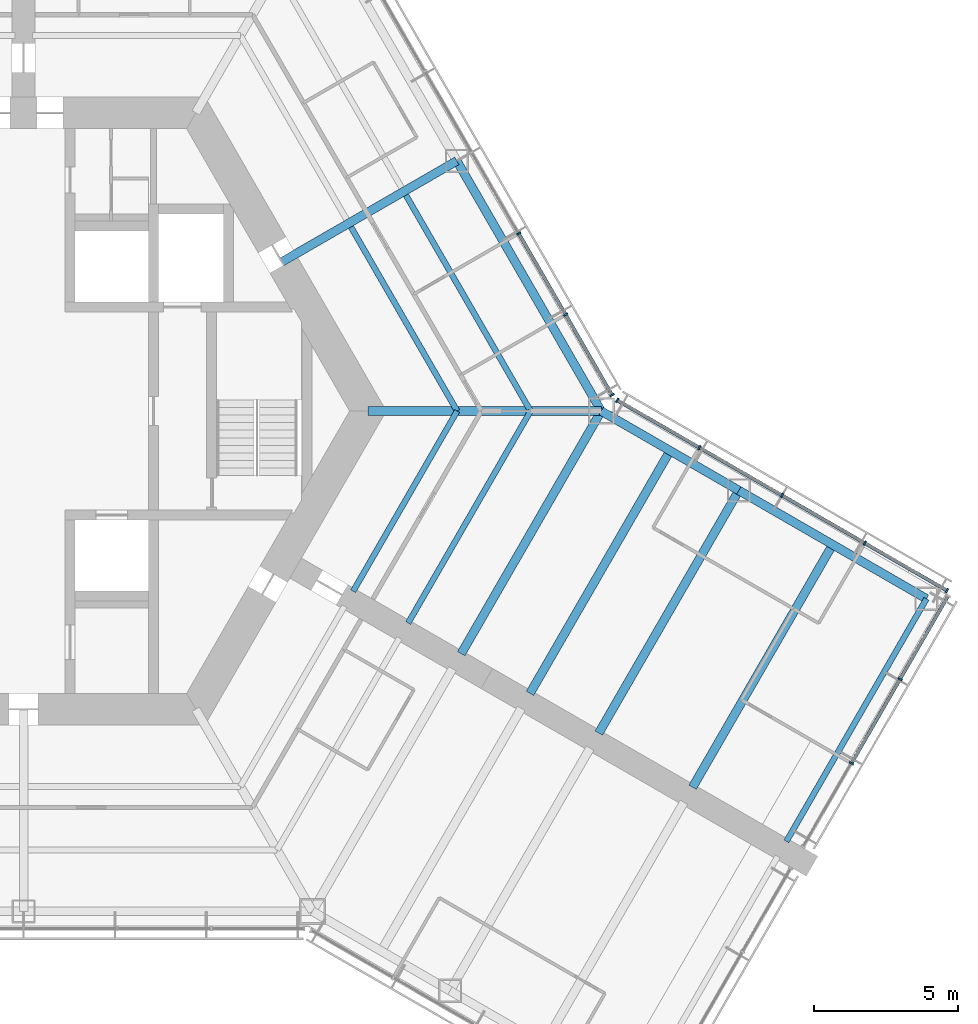
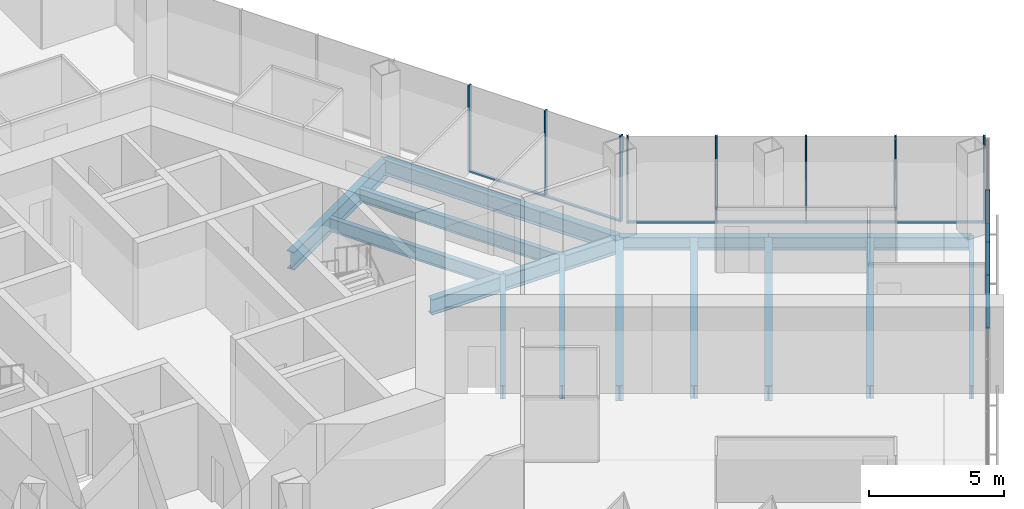
# One storey, part 6 of 19: 18 members, 14 beams, 3 elements without a shape of their own.
"""IFC4 building model written with IfcOpenShell, lengths in metres."""

from ifc_helpers import new_model, si_unit, direction, frame, origin, origin_2d, place, context, subcontext, project, spatial, rectangle, i_section, extrude, material, material_profile, profile_set, type_object, element, aggregate, save


model = new_model("IFC4")

# Units and contexts
model_context = context("Model", 3, precision=1e-05, world=origin(), true_north=direction((0.0, 1.0)))
body_context = subcontext(model_context, "Body", "Model", "MODEL_VIEW")
ifc_project = project(units=[si_unit("LENGTHUNIT", "METRE"), si_unit("AREAUNIT", "SQUARE_METRE"), si_unit("VOLUMEUNIT", "CUBIC_METRE"), si_unit("PLANEANGLEUNIT", "RADIAN"), si_unit("MASSUNIT", "GRAM", prefix="KILO")], contexts=[model_context])

# Site, building, storey
site_placement = place(None, origin())
site = spatial("IfcSite", under=ifc_project, at=site_placement, CompositionType="ELEMENT")
building_placement = place(site_placement, origin())
building = spatial("IfcBuilding", under=site, at=building_placement, Name="Kasaneha Research Tower", CompositionType="ELEMENT")
storey_placement = place(building_placement, frame((0.0, 0.0, 100.199951171875)))
storey = spatial("IfcBuildingStorey", under=building, at=storey_placement, Name="L25", CompositionType="ELEMENT", Elevation=100.199951171875)

# Beams
ifc_material_1 = material(Name="Steel SN490B", Category="steel")
ifc_material_profile_1 = material_profile(ifc_material_1, i_section(OverallWidth=0.199951171875, OverallDepth=0.60009765625, WebThickness=0.010986328125, FlangeThickness=0.01708984375, FilletRadius=0.012939453125, at=origin_2d()), Name="H-600x200x11x17")
ifc_profile_set_1 = profile_set([ifc_material_profile_1], Name="Steel SN490B")
beam_type_1 = type_object("IfcBeamType", Name="B1-3 secondary beam H-600x200x11x17", PredefinedType="JOIST", material=ifc_profile_set_1)
beam_1_placement = place(storey_placement, frame((15.010986328125, 0.0, -0.449951171875), z_axis=(-0.499994443168, 0.866028611999, 0.0), x_axis=(-0.866028611999, -0.499994443168, 0.0)))
element("IfcBeam", 1, at=beam_1_placement, inside=storey, type_object=beam_type_1, Name="Secondary beam RS030L1 L25", PredefinedType="JOIST", context=body_context, shape_type="SweptSolid", body=[
    extrude(i_section(OverallWidth=0.199951171875, OverallDepth=0.60009765625, WebThickness=0.010986328125, FlangeThickness=0.01708984375, FilletRadius=0.012939453125, at=origin_2d()), origin(), (0.0, 0.0, 1.0), 7.35546875),
])
beam_2_placement = place(storey_placement, frame((17.551513671875, 0.0, -0.449951171875), z_axis=(-0.5000050195, 0.866022505755, 0.0), x_axis=(-0.866022505755, -0.5000050195, 0.0)))
element("IfcBeam", 2, at=beam_2_placement, inside=storey, type_object=beam_type_1, Name="Secondary beam RS030L2 L25", PredefinedType="JOIST", context=body_context, shape_type="SweptSolid", body=[
    extrude(i_section(OverallWidth=0.199951171875, OverallDepth=0.60009765625, WebThickness=0.010986328125, FlangeThickness=0.01708984375, FilletRadius=0.012939453125, at=origin_2d()), origin(), (0.0, 0.0, 1.0), 8.6259765625),
])
beam_3_placement = place(storey_placement, frame((15.010986328125, 0.0, -0.449951171875), z_axis=(-0.499972735707, -0.866041144259, 0.0), x_axis=(0.866041144259, -0.499972735707, 0.0)))
element("IfcBeam", 3, at=beam_3_placement, inside=storey, type_object=beam_type_1, Name="Secondary beam RS330R1 L25", PredefinedType="JOIST", context=body_context, shape_type="SweptSolid", body=[
    extrude(i_section(OverallWidth=0.199951171875, OverallDepth=0.60009765625, WebThickness=0.010986328125, FlangeThickness=0.01708984375, FilletRadius=0.012939453125, at=origin_2d()), origin(), (0.0, 0.0, 1.0), 7.20556640625),
])
beam_4_placement = place(storey_placement, frame((17.551513671875, 0.0, -0.449951171875), z_axis=(-0.500020829043, -0.866013377797, 0.0), x_axis=(0.866013377797, -0.500020829043, 0.0)))
element("IfcBeam", 4, at=beam_4_placement, inside=storey, type_object=beam_type_1, Name="Secondary beam RS330R2 L25", PredefinedType="JOIST", context=body_context, shape_type="SweptSolid", body=[
    extrude(i_section(OverallWidth=0.199951171875, OverallDepth=0.60009765625, WebThickness=0.010986328125, FlangeThickness=0.01708984375, FilletRadius=0.012939453125, at=origin_2d()), origin(), (0.0, 0.0, 1.0), 8.475830078125),
])
ifc_material_2 = material(Name="Steel SN490B", Category="steel")
ifc_material_profile_2 = material_profile(ifc_material_2, i_section(OverallWidth=0.300048828125, OverallDepth=0.58203125, WebThickness=0.011962890625, FlangeThickness=0.01708984375, FilletRadius=0.012939453125, at=origin_2d()), Name="H-582x300x12x17")
ifc_profile_set_2 = profile_set([ifc_material_profile_2], Name="Steel SN490B")
beam_type_2 = type_object("IfcBeamType", Name="B2-3 secondary beam H-582x300x12x17", PredefinedType="JOIST", material=ifc_profile_set_2)
for number, where, z_axis, x_axis, name in (
    (5, (22.381591796875, -1.375, -0.44091796875), (-0.500010041276, -0.866019606374, 0.0), (0.866019606374, -0.500010041276, 0.0), "Secondary beam WBCN1 L25"),
    (6, (28.0107421875, -4.625, -0.44091796875), (-0.500010041276, -0.866019606374, 0.0), (0.866019606374, -0.500010041276, 0.0), "Secondary beam WBCN2 L25"),
):
    element("IfcBeam", number, at=place(storey_placement, frame(where, z_axis=z_axis, x_axis=x_axis)), inside=storey, type_object=beam_type_2, Name=name, PredefinedType="JOIST", context=body_context, shape_type="SweptSolid", body=[
        extrude(i_section(OverallWidth=0.300048828125, OverallDepth=0.58203125, WebThickness=0.011962890625, FlangeThickness=0.01708984375, FilletRadius=0.012939453125, at=origin_2d()), origin(), (0.0, 0.0, 1.0), 9.699951171875),
    ])

# Curtain wall, members
ifc_material_3 = material(Name="Glass and aluminium", Category="aluminium")
curtain_wall_type = type_object("IfcCurtainWallType", Name="Low-rise office curtain wall", PredefinedType="USERDEFINED", material=ifc_material_3)
curtain_wall_1_placement = place(storey_placement, origin())
curtain_wall_1 = element("IfcCurtainWall", 7, at=curtain_wall_1_placement, inside=storey, type_object=curtain_wall_type, Name="CW-O1 L25 run 05a", ObjectType="UNITISED CURTAIN WALL", PredefinedType="USERDEFINED")
ifc_material_4 = material(Name="Aluminium 6063-T6", Category="aluminium")
ifc_material_profile_3 = material_profile(ifc_material_4, rectangle(XDim=0.06005859375, YDim=0.159912109375, at=origin_2d()), Name="CW-O1 mullion 60x160")
ifc_profile_set_3 = profile_set([ifc_material_profile_3], Name="Aluminium 6063-T6")
member_type_1 = type_object("IfcMemberType", Name="CW-O1 mullion", PredefinedType="MULLION", material=ifc_profile_set_3)
member_1_placement = place(storey_placement, frame((28.661376953125, -12.1982421875, 0.0), z_axis=(0.0, 0.0, 1.0), x_axis=(0.500000011442, 0.866025397178, 0.0)))
member_1 = element("IfcMember", 8, at=member_1_placement, type_object=member_type_1, Name="CW-O1 mullion 2", PredefinedType="MULLION", context=body_context, shape_type="SweptSolid", body=[
    extrude(rectangle(XDim=0.06005859375, YDim=0.159912109375, at=origin_2d()), origin(), (0.0, 0.0, 1.0), 3.900146484375),
])
member_2_placement = place(storey_placement, frame((30.3447265625, -9.28271484375, 0.0), z_axis=(0.0, 0.0, 1.0), x_axis=(0.500000011442, 0.866025397178, 0.0)))
member_2 = element("IfcMember", 9, at=member_2_placement, type_object=member_type_1, Name="CW-O1 mullion 3", PredefinedType="MULLION", context=body_context, shape_type="SweptSolid", body=[
    extrude(rectangle(XDim=0.06005859375, YDim=0.159912109375, at=origin_2d()), origin(), (0.0, 0.0, 1.0), 3.900146484375),
])

curtain_wall_2_placement = place(storey_placement, origin())
curtain_wall_2 = element("IfcCurtainWall", 10, at=curtain_wall_2_placement, inside=storey, type_object=curtain_wall_type, Name="CW-O1 L25 run 06a", ObjectType="UNITISED CURTAIN WALL", PredefinedType="USERDEFINED")
member_3_placement = place(storey_placement, frame((31.96533203125, -6.21533203125, 0.0), z_axis=(0.0, 0.0, 1.0), x_axis=(-0.866025411464, 0.499999986699, 0.0)))
member_3 = element("IfcMember", 11, at=member_3_placement, type_object=member_type_1, Name="CW-O1 mullion 1", PredefinedType="MULLION", context=body_context, shape_type="SweptSolid", body=[
    extrude(rectangle(XDim=0.06005859375, YDim=0.159912109375, at=origin_2d()), origin(), (0.0, 0.0, 1.0), 3.900146484375),
])
member_4_placement = place(storey_placement, frame((29.125, -4.575439453125, 0.0), z_axis=(0.0, 0.0, 1.0), x_axis=(-0.866025411464, 0.499999986699, 0.0)))
member_4 = element("IfcMember", 12, at=member_4_placement, type_object=member_type_1, Name="CW-O1 mullion 2", PredefinedType="MULLION", context=body_context, shape_type="SweptSolid", body=[
    extrude(rectangle(XDim=0.06005859375, YDim=0.159912109375, at=origin_2d()), origin(), (0.0, 0.0, 1.0), 3.900146484375),
])
member_5_placement = place(storey_placement, frame((26.258544921875, -2.920654296875, 0.0), z_axis=(0.0, 0.0, 1.0), x_axis=(-0.866025411464, 0.499999986699, 0.0)))
member_5 = element("IfcMember", 13, at=member_5_placement, type_object=member_type_1, Name="CW-O1 mullion 3", PredefinedType="MULLION", context=body_context, shape_type="SweptSolid", body=[
    extrude(rectangle(XDim=0.06005859375, YDim=0.159912109375, at=origin_2d()), origin(), (0.0, 0.0, 1.0), 3.900146484375),
])
member_6_placement = place(storey_placement, frame((23.39208984375, -1.265625, 0.0), z_axis=(0.0, 0.0, 1.0), x_axis=(-0.866025411464, 0.499999986699, 0.0)))
member_6 = element("IfcMember", 14, at=member_6_placement, type_object=member_type_1, Name="CW-O1 mullion 4", PredefinedType="MULLION", context=body_context, shape_type="SweptSolid", body=[
    extrude(rectangle(XDim=0.06005859375, YDim=0.159912109375, at=origin_2d()), origin(), (0.0, 0.0, 1.0), 3.900146484375),
])
member_7_placement = place(storey_placement, frame((20.5517578125, 0.374267578125, 0.0), z_axis=(0.0, 0.0, 1.0), x_axis=(-0.866025411464, 0.499999986699, 0.0)))
member_7 = element("IfcMember", 15, at=member_7_placement, type_object=member_type_1, Name="CW-O1 mullion 5", PredefinedType="MULLION", context=body_context, shape_type="SweptSolid", body=[
    extrude(rectangle(XDim=0.06005859375, YDim=0.159912109375, at=origin_2d()), origin(), (0.0, 0.0, 1.0), 3.900146484375),
])

curtain_wall_3_placement = place(storey_placement, origin())
curtain_wall_3 = element("IfcCurtainWall", 16, at=curtain_wall_3_placement, inside=storey, type_object=curtain_wall_type, Name="CW-O1 L25 run 07a", ObjectType="UNITISED CURTAIN WALL", PredefinedType="USERDEFINED")
member_8_placement = place(storey_placement, frame((20.374267578125, 0.5517578125, 0.0), z_axis=(0.0, 0.0, 1.0), x_axis=(-0.49999996188, 0.866025425793, 0.0)))
member_8 = element("IfcMember", 17, at=member_8_placement, type_object=member_type_1, Name="CW-O1 mullion 1", PredefinedType="MULLION", context=body_context, shape_type="SweptSolid", body=[
    extrude(rectangle(XDim=0.06005859375, YDim=0.159912109375, at=origin_2d()), origin(), (0.0, 0.0, 1.0), 3.900146484375),
])
member_9_placement = place(storey_placement, frame((18.76611328125, 3.33740234375, 0.0), z_axis=(0.0, 0.0, 1.0), x_axis=(-0.49999996188, 0.866025425793, 0.0)))
member_9 = element("IfcMember", 18, at=member_9_placement, type_object=member_type_1, Name="CW-O1 mullion 2", PredefinedType="MULLION", context=body_context, shape_type="SweptSolid", body=[
    extrude(rectangle(XDim=0.06005859375, YDim=0.159912109375, at=origin_2d()), origin(), (0.0, 0.0, 1.0), 3.900146484375),
])
member_10_placement = place(storey_placement, frame((17.142822265625, 6.148681640625, 0.0), z_axis=(0.0, 0.0, 1.0), x_axis=(-0.49999996188, 0.866025425793, 0.0)))
member_10 = element("IfcMember", 19, at=member_10_placement, type_object=member_type_1, Name="CW-O1 mullion 3", PredefinedType="MULLION", context=body_context, shape_type="SweptSolid", body=[
    extrude(rectangle(XDim=0.06005859375, YDim=0.159912109375, at=origin_2d()), origin(), (0.0, 0.0, 1.0), 3.900146484375),
])

# Member
ifc_material_5 = material(Name="Aluminium 6063-T6", Category="aluminium")
ifc_material_profile_4 = material_profile(ifc_material_5, rectangle(XDim=0.1201171875, YDim=0.06005859375, at=origin_2d()), Name="CW-O1 transom 120x60")
ifc_profile_set_4 = profile_set([ifc_material_profile_4], Name="Aluminium 6063-T6")
member_type_2 = type_object("IfcMemberType", Name="CW-O1 transom", PredefinedType="USERDEFINED", material=ifc_profile_set_4)
member_11_placement = place(storey_placement, frame((28.67626953125, -12.17236328125, 0.030029296875), z_axis=(0.499982354831, 0.866035590988, 0.0), x_axis=(-0.866035590988, 0.499982354831, 0.0)))
member_11 = element("IfcMember", 20, at=member_11_placement, type_object=member_type_2, Name="CW-O1 transom 2", ObjectType="TRANSOM", PredefinedType="USERDEFINED", context=body_context, shape_type="SweptSolid", body=[
    extrude(rectangle(XDim=0.1201171875, YDim=0.06005859375, at=origin_2d()), origin(), (0.0, 0.0, 1.0), 3.306640625),
])

member_12_placement = place(storey_placement, frame((30.359619140625, -9.256591796875, 0.030029296875), z_axis=(0.500025583411, 0.866010632691, 0.0), x_axis=(-0.866010632691, 0.500025583411, 0.0)))
member_12 = element("IfcMember", 21, at=member_12_placement, type_object=member_type_2, Name="CW-O1 transom 3", ObjectType="TRANSOM", PredefinedType="USERDEFINED", context=body_context, shape_type="SweptSolid", body=[
    extrude(rectangle(XDim=0.1201171875, YDim=0.06005859375, at=origin_2d()), origin(), (0.0, 0.0, 1.0), 3.276611328125),
])

aggregate(curtain_wall_1, [member_1, member_2, member_11, member_12])

member_13_placement = place(storey_placement, frame((31.939453125, -6.200439453125, 0.030029296875), z_axis=(-0.866041647767, 0.499971863542, 0.0), x_axis=(-0.499971863542, -0.866041647767, 0.0)))
member_13 = element("IfcMember", 22, at=member_13_placement, type_object=member_type_2, Name="CW-O1 transom 1", ObjectType="TRANSOM", PredefinedType="USERDEFINED", context=body_context, shape_type="SweptSolid", body=[
    extrude(rectangle(XDim=0.1201171875, YDim=0.06005859375, at=origin_2d()), origin(), (0.0, 0.0, 1.0), 3.219970703125),
])

member_14_placement = place(storey_placement, frame((29.098876953125, -4.560546875, 0.030029296875), z_axis=(-0.86599666273, 0.500049777664, 0.0), x_axis=(-0.500049777664, -0.86599666273, 0.0)))
member_14 = element("IfcMember", 23, at=member_14_placement, type_object=member_type_2, Name="CW-O1 transom 2", ObjectType="TRANSOM", PredefinedType="USERDEFINED", context=body_context, shape_type="SweptSolid", body=[
    extrude(rectangle(XDim=0.1201171875, YDim=0.06005859375, at=origin_2d()), origin(), (0.0, 0.0, 1.0), 3.249755859375),
])

member_15_placement = place(storey_placement, frame((26.232666015625, -2.905517578125, 0.030029296875), z_axis=(-0.86604797581, 0.499960902066, 0.0), x_axis=(-0.499960902066, -0.86604797581, 0.0)))
member_15 = element("IfcMember", 24, at=member_15_placement, type_object=member_type_2, Name="CW-O1 transom 3", ObjectType="TRANSOM", PredefinedType="USERDEFINED", context=body_context, shape_type="SweptSolid", body=[
    extrude(rectangle(XDim=0.1201171875, YDim=0.06005859375, at=origin_2d()), origin(), (0.0, 0.0, 1.0), 3.249755859375),
])

member_16_placement = place(storey_placement, frame((23.3662109375, -1.250732421875, 0.030029296875), z_axis=(-0.866022692473, 0.500004696101, 0.0), x_axis=(-0.500004696101, -0.866022692473, 0.0)))
member_16 = element("IfcMember", 25, at=member_16_placement, type_object=member_type_2, Name="CW-O1 transom 4", ObjectType="TRANSOM", PredefinedType="USERDEFINED", context=body_context, shape_type="SweptSolid", body=[
    extrude(rectangle(XDim=0.1201171875, YDim=0.06005859375, at=origin_2d()), origin(), (0.0, 0.0, 1.0), 3.2197265625),
])

aggregate(curtain_wall_2, [member_3, member_4, member_5, member_6, member_7, member_13, member_14, member_15, member_16])

member_17_placement = place(storey_placement, frame((20.359130859375, 0.577880859375, 0.030029296875), z_axis=(-0.499999210213, 0.866025859768, 0.0), x_axis=(-0.866025859768, -0.499999210213, 0.0)))
member_17 = element("IfcMember", 26, at=member_17_placement, type_object=member_type_2, Name="CW-O1 transom 1", ObjectType="TRANSOM", PredefinedType="USERDEFINED", context=body_context, shape_type="SweptSolid", body=[
    extrude(rectangle(XDim=0.1201171875, YDim=0.06005859375, at=origin_2d()), origin(), (0.0, 0.0, 1.0), 3.15625),
])

member_18_placement = place(storey_placement, frame((18.7509765625, 3.36328125, 0.030029296875), z_axis=(-0.500012062035, 0.866018439653, 0.0), x_axis=(-0.866018439653, -0.500012062035, 0.0)))
member_18 = element("IfcMember", 27, at=member_18_placement, type_object=member_type_2, Name="CW-O1 transom 2", ObjectType="TRANSOM", PredefinedType="USERDEFINED", context=body_context, shape_type="SweptSolid", body=[
    extrude(rectangle(XDim=0.1201171875, YDim=0.06005859375, at=origin_2d()), origin(), (0.0, 0.0, 1.0), 3.1865234375),
])

aggregate(curtain_wall_3, [member_8, member_9, member_10, member_17, member_18])

# Beams
ifc_material_6 = material(Name="Steel SN490B", Category="steel")
ifc_material_profile_5 = material_profile(ifc_material_6, i_section(OverallWidth=0.300048828125, OverallDepth=0.699951171875, WebThickness=0.012939453125, FlangeThickness=0.02392578125, FilletRadius=0.01806640625, at=origin_2d()), Name="H-700x300x13x24")
ifc_profile_set_5 = profile_set([ifc_material_profile_5], Name="Steel SN490B")
beam_type_3 = type_object("IfcBeamType", Name="G1-3 radial girder H-700x300x13x24", PredefinedType="BEAM", material=ifc_profile_set_5)
beam_5_placement = place(storey_placement, frame((11.92236328125, 0.0, -0.5), z_axis=(1.0, 0.0, 0.0), x_axis=(0.0, 1.0, 0.0)))
element("IfcBeam", 28, at=beam_5_placement, inside=storey, type_object=beam_type_3, Name="Radial girder RV000 L25", PredefinedType="BEAM", context=body_context, shape_type="SweptSolid", body=[
    extrude(i_section(OverallWidth=0.300048828125, OverallDepth=0.699951171875, WebThickness=0.012939453125, FlangeThickness=0.02392578125, FilletRadius=0.01806640625, at=origin_2d()), origin(), (0.0, 0.0, 1.0), 8.07763671875),
])
ifc_material_7 = material(Name="Steel SN490B", Category="steel")
ifc_material_profile_6 = material_profile(ifc_material_7, i_section(OverallWidth=0.300048828125, OverallDepth=0.800048828125, WebThickness=0.013916015625, FlangeThickness=0.02587890625, FilletRadius=0.01806640625, at=origin_2d()), Name="H-800x300x14x26")
ifc_profile_set_6 = profile_set([ifc_material_profile_6], Name="Steel SN490B")
beam_type_4 = type_object("IfcBeamType", Name="G2-3 radial girder H-800x300x14x26", PredefinedType="BEAM", material=ifc_profile_set_6)
beam_6_placement = place(storey_placement, frame((8.941650390625, 5.16259765625, -0.550048828125), z_axis=(0.866039713508, 0.499975214012, 0.0), x_axis=(-0.499975214012, 0.866039713508, 0.0)))
element("IfcBeam", 29, at=beam_6_placement, inside=storey, type_object=beam_type_4, Name="Radial girder RM030 L25", PredefinedType="BEAM", context=body_context, shape_type="SweptSolid", body=[
    extrude(i_section(OverallWidth=0.300048828125, OverallDepth=0.800048828125, WebThickness=0.013916015625, FlangeThickness=0.02587890625, FilletRadius=0.01806640625, at=origin_2d()), origin(), (0.0, 0.0, 1.0), 6.995361328125),
])
ifc_material_8 = material(Name="Steel SN490B", Category="steel")
ifc_material_profile_7 = material_profile(ifc_material_8, i_section(OverallWidth=0.300048828125, OverallDepth=0.69189453125, WebThickness=0.012939453125, FlangeThickness=0.02001953125, FilletRadius=0.01806640625, at=origin_2d()), Name="H-692x300x13x20")
ifc_profile_set_7 = profile_set([ifc_material_profile_7], Name="Steel SN490B")
beam_type_5 = type_object("IfcBeamType", Name="G3-3 plate edge girder H-692x300x13x20", PredefinedType="BEAM", material=ifc_profile_set_7)
beam_7_placement = place(storey_placement, frame((20.0, 0.0, -0.495849609375), z_axis=(-0.500010041276, -0.866019606374, 0.0), x_axis=(0.866019606374, -0.500010041276, 0.0)))
element("IfcBeam", 30, at=beam_7_placement, inside=storey, type_object=beam_type_5, Name="Plate edge girder PECN L25", PredefinedType="BEAM", context=body_context, shape_type="SweptSolid", body=[
    extrude(i_section(OverallWidth=0.300048828125, OverallDepth=0.69189453125, WebThickness=0.012939453125, FlangeThickness=0.02001953125, FilletRadius=0.01806640625, at=origin_2d()), origin(), (0.0, 0.0, 1.0), 9.699951171875),
])
ifc_material_9 = material(Name="Steel SN490B", Category="steel")
ifc_material_profile_8 = material_profile(ifc_material_9, i_section(OverallWidth=0.300048828125, OverallDepth=0.699951171875, WebThickness=0.012939453125, FlangeThickness=0.02392578125, FilletRadius=0.01806640625, at=origin_2d()), Name="H-700x300x13x24")
ifc_profile_set_8 = profile_set([ifc_material_profile_8], Name="Steel SN490B")
beam_type_6 = type_object("IfcBeamType", Name="G4-3 wing girder H-700x300x13x24", PredefinedType="BEAM", material=ifc_profile_set_8)
beam_8_placement = place(storey_placement, frame((24.76318359375, -2.75, -0.5), z_axis=(-0.500010041276, -0.866019606374, 0.0), x_axis=(0.866019606374, -0.500010041276, 0.0)))
element("IfcBeam", 31, at=beam_8_placement, inside=storey, type_object=beam_type_6, Name="Wing girder WGCN L25", PredefinedType="BEAM", context=body_context, shape_type="SweptSolid", body=[
    extrude(i_section(OverallWidth=0.300048828125, OverallDepth=0.699951171875, WebThickness=0.012939453125, FlangeThickness=0.02392578125, FilletRadius=0.01806640625, at=origin_2d()), origin(), (0.0, 0.0, 1.0), 9.699951171875),
])
ifc_material_10 = material(Name="Steel SN490B", Category="steel")
ifc_material_profile_9 = material_profile(ifc_material_10, i_section(OverallWidth=0.300048828125, OverallDepth=0.69189453125, WebThickness=0.012939453125, FlangeThickness=0.02001953125, FilletRadius=0.01806640625, at=origin_2d()), Name="H-692x300x13x20")
ifc_profile_set_9 = profile_set([ifc_material_profile_9], Name="Steel SN490B")
beam_type_7 = type_object("IfcBeamType", Name="SB1-3 spandrel beam H-692x300x13x20", PredefinedType="SPANDREL", material=ifc_profile_set_9)
beam_9_placement = place(storey_placement, frame((20.0, 0.0, -0.495849609375), z_axis=(-0.500004234368, 0.866022959057, 0.0), x_axis=(-0.866022959057, -0.500004234368, 0.0)))
element("IfcBeam", 32, at=beam_9_placement, inside=storey, type_object=beam_type_7, Name="Spandrel beam SR030L L25", PredefinedType="SPANDREL", context=body_context, shape_type="SweptSolid", body=[
    extrude(i_section(OverallWidth=0.300048828125, OverallDepth=0.69189453125, WebThickness=0.012939453125, FlangeThickness=0.02001953125, FilletRadius=0.01806640625, at=origin_2d()), origin(), (0.0, 0.0, 1.0), 10.0),
])
ifc_material_11 = material(Name="Steel SN490B", Category="steel")
ifc_material_profile_10 = material_profile(ifc_material_11, i_section(OverallWidth=0.300048828125, OverallDepth=0.58203125, WebThickness=0.011962890625, FlangeThickness=0.01708984375, FilletRadius=0.012939453125, at=origin_2d()), Name="H-582x300x12x17")
ifc_profile_set_10 = profile_set([ifc_material_profile_10], Name="Steel SN490B")
beam_type_8 = type_object("IfcBeamType", Name="SB2-3 spandrel beam H-582x300x12x17", PredefinedType="SPANDREL", material=ifc_profile_set_10)
beam_10_placement = place(storey_placement, frame((20.0, 0.0, -0.44091796875), z_axis=(0.866027397988, -0.499996545922, 0.0), x_axis=(0.499996545922, 0.866027397988, 0.0)))
element("IfcBeam", 33, at=beam_10_placement, inside=storey, type_object=beam_type_8, Name="Spandrel beam WSCN1 L25", PredefinedType="SPANDREL", context=body_context, shape_type="SweptSolid", body=[
    extrude(i_section(OverallWidth=0.300048828125, OverallDepth=0.58203125, WebThickness=0.011962890625, FlangeThickness=0.01708984375, FilletRadius=0.012939453125, at=origin_2d()), origin(), (0.0, 0.0, 1.0), 5.5),
])
beam_11_placement = place(storey_placement, frame((24.76318359375, -2.75, -0.44091796875), z_axis=(0.866022959057, -0.500004234368, 0.0), x_axis=(0.500004234368, 0.866022959057, 0.0)))
element("IfcBeam", 34, at=beam_11_placement, inside=storey, type_object=beam_type_8, Name="Spandrel beam WSCN2 L25", PredefinedType="SPANDREL", context=body_context, shape_type="SweptSolid", body=[
    extrude(i_section(OverallWidth=0.300048828125, OverallDepth=0.58203125, WebThickness=0.011962890625, FlangeThickness=0.01708984375, FilletRadius=0.012939453125, at=origin_2d()), origin(), (0.0, 0.0, 1.0), 7.5),
])
ifc_material_12 = material(Name="Steel SN490B", Category="steel")
ifc_material_profile_11 = material_profile(ifc_material_12, i_section(OverallWidth=0.199951171875, OverallDepth=0.60009765625, WebThickness=0.010986328125, FlangeThickness=0.01708984375, FilletRadius=0.012939453125, at=origin_2d()), Name="H-600x200x11x17")
ifc_profile_set_11 = profile_set([ifc_material_profile_11], Name="Steel SN490B")
beam_type_9 = type_object("IfcBeamType", Name="SB3-3 spandrel beam H-600x200x11x17", PredefinedType="SPANDREL", material=ifc_profile_set_11)
beam_12_placement = place(storey_placement, frame((31.25830078125, -6.5, -0.449951171875), z_axis=(-0.499991164321, -0.866030505006, 0.0), x_axis=(0.866030505006, -0.499991164321, 0.0)))
element("IfcBeam", 35, at=beam_12_placement, inside=storey, type_object=beam_type_9, Name="Spandrel beam WTCN L25", PredefinedType="SPANDREL", context=body_context, shape_type="SweptSolid", body=[
    extrude(i_section(OverallWidth=0.199951171875, OverallDepth=0.60009765625, WebThickness=0.010986328125, FlangeThickness=0.01708984375, FilletRadius=0.012939453125, at=origin_2d()), origin(), (0.0, 0.0, 1.0), 9.699951171875),
])

save(model, "model.ifc")
